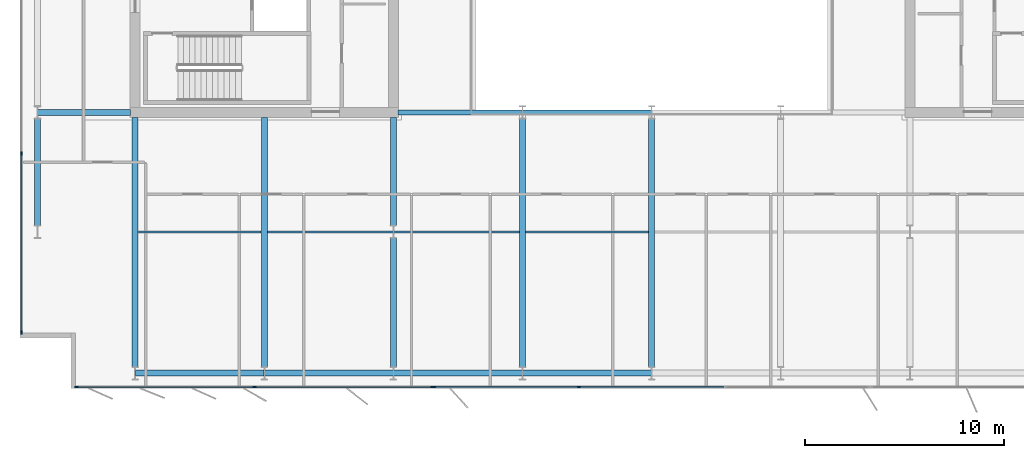
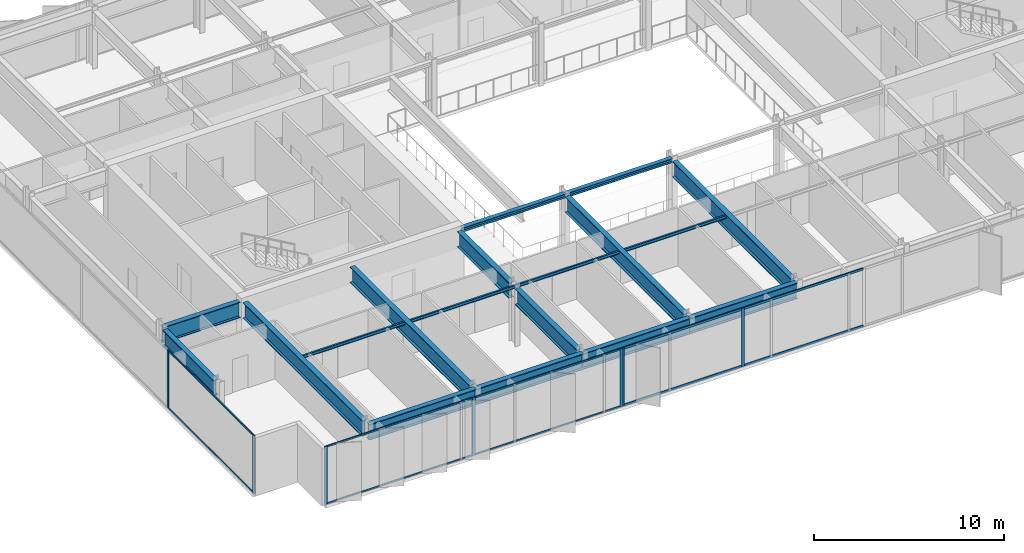
# One storey, part 4 of 20: 18 beams, 17 members, 3 elements without a shape of their own.
"""IFC4 building model written with IfcOpenShell, lengths in metres."""

from ifc_helpers import new_model, si_unit, direction, frame, origin, origin_2d, place, context, subcontext, project, spatial, rectangle, i_section, extrude, material, layer, layer_set, material_profile, profile_set, type_object, element, aggregate, save


model = new_model("IFC4")

# Units and contexts
model_context = context("Model", 3, precision=1e-05, world=origin(), true_north=direction((0.0, 1.0)))
body_context = subcontext(model_context, "Body", "Model", "MODEL_VIEW")
ifc_project = project(units=[si_unit("LENGTHUNIT", "METRE"), si_unit("AREAUNIT", "SQUARE_METRE"), si_unit("VOLUMEUNIT", "CUBIC_METRE"), si_unit("PLANEANGLEUNIT", "RADIAN"), si_unit("MASSUNIT", "GRAM", prefix="KILO")], contexts=[model_context])

# Site, building, storey
site_placement = place(None, origin())
site = spatial("IfcSite", under=ifc_project, at=site_placement, CompositionType="ELEMENT")
building_placement = place(site_placement, origin())
building = spatial("IfcBuilding", under=site, at=building_placement, Name="Putna Gate Headquarters", CompositionType="ELEMENT")
storey_placement = place(building_placement, frame((0.0, 0.0, 306.39990234375)))
storey = spatial("IfcBuildingStorey", under=building, at=storey_placement, Name="L77", CompositionType="ELEMENT", Elevation=306.39990234375)

# Beams
ifc_material_1 = material(Name="Steel S355J2", Category="steel")
ifc_material_profile_1 = material_profile(ifc_material_1, i_section(OverallWidth=0.260009765625, OverallDepth=0.260009765625, WebThickness=0.010009765625, FlangeThickness=0.017578125, at=origin_2d()), Name="Steel S355J2")
ifc_profile_set_1 = profile_set([ifc_material_profile_1], Name="Steel S355J2")
beam_type_1 = type_object("IfcBeamType", Name="BM-ATRIUM-HEB260", PredefinedType="BEAM", material=ifc_profile_set_1)
beam_1_placement = place(storey_placement, frame((26.235107421875, 19.0, 3.590087890625), z_axis=(1.0, 0.0, 0.0), x_axis=(0.0, 1.0, 0.0)))
element("IfcBeam", 1, at=beam_1_placement, inside=storey, type_object=beam_type_1, Name="L77 Atrium Edge Beam AS1", PredefinedType="BEAM", context=body_context, shape_type="SweptSolid", body=[
    extrude(i_section(OverallWidth=0.260009765625, OverallDepth=0.260009765625, WebThickness=0.010009765625, FlangeThickness=0.017578125, at=origin_2d()), origin(), (0.0, 0.0, 1.0), 6.2587890625),
])
beam_2_placement = place(storey_placement, frame((32.506103515625, 19.0, 3.590087890625), z_axis=(1.0, 0.0, 0.0), x_axis=(0.0, 1.0, 0.0)))
element("IfcBeam", 2, at=beam_2_placement, inside=storey, type_object=beam_type_1, Name="L77 Atrium Edge Beam AS2", PredefinedType="BEAM", context=body_context, shape_type="SweptSolid", body=[
    extrude(i_section(OverallWidth=0.260009765625, OverallDepth=0.260009765625, WebThickness=0.010009765625, FlangeThickness=0.017578125, at=origin_2d()), origin(), (0.0, 0.0, 1.0), 6.48779296875),
])
ifc_material_profile_2 = material_profile(ifc_material_1, i_section(OverallWidth=0.10009765625, OverallDepth=0.199951171875, WebThickness=0.005615234375, FlangeThickness=0.008544921875, at=origin_2d()), Name="Steel S355J2")
ifc_profile_set_2 = profile_set([ifc_material_profile_2], Name="Steel S355J2")
beam_type_2 = type_object("IfcBeamType", Name="BM-SEC-PLT-IPE200", PredefinedType="JOIST", material=ifc_profile_set_2)
beam_3_placement = place(storey_placement, frame((13.155029296875, 13.0, 3.6201171875), z_axis=(1.0, 0.0, 0.0), x_axis=(0.0, 1.0, 0.0)))
element("IfcBeam", 3, at=beam_3_placement, inside=storey, type_object=beam_type_2, Name="L77 South Secondary Beam 1", PredefinedType="JOIST", context=body_context, shape_type="SweptSolid", body=[
    extrude(i_section(OverallWidth=0.10009765625, OverallDepth=0.199951171875, WebThickness=0.005615234375, FlangeThickness=0.008544921875, at=origin_2d()), origin(), (0.0, 0.0, 1.0), 6.18994140625),
])
for number, where, z_axis, x_axis, name in (
    (4, (19.655029296875, 13.0, 3.6201171875), (1.0, 0.0, 0.0), (0.0, 1.0, 0.0), "L77 South Secondary Beam 2"),
    (5, (26.006103515625, 13.0, 3.6201171875), (1.0, 0.0, 0.0), (0.0, 1.0, 0.0), "L77 South Secondary Beam 3"),
):
    element("IfcBeam", number, at=place(storey_placement, frame(where, z_axis=z_axis, x_axis=x_axis)), inside=storey, type_object=beam_type_2, Name=name, PredefinedType="JOIST", context=body_context, shape_type="SweptSolid", body=[
        extrude(i_section(OverallWidth=0.10009765625, OverallDepth=0.199951171875, WebThickness=0.005615234375, FlangeThickness=0.008544921875, at=origin_2d()), origin(), (0.0, 0.0, 1.0), 6.3388671875),
    ])
beam_4_placement = place(storey_placement, frame((32.655029296875, 13.0, 3.6201171875), z_axis=(1.0, 0.0, 0.0), x_axis=(0.0, 1.0, 0.0)))
element("IfcBeam", 6, at=beam_4_placement, inside=storey, type_object=beam_type_2, Name="L77 South Secondary Beam 4", PredefinedType="JOIST", context=body_context, shape_type="SweptSolid", body=[
    extrude(i_section(OverallWidth=0.10009765625, OverallDepth=0.199951171875, WebThickness=0.005615234375, FlangeThickness=0.008544921875, at=origin_2d()), origin(), (0.0, 0.0, 1.0), 6.18994140625),
])
ifc_material_2 = material(Name="Steel S460M", Category="steel")
ifc_material_profile_3 = material_profile(ifc_material_2, i_section(OverallWidth=0.302001953125, OverallDepth=1.008056640625, WebThickness=0.02099609375, FlangeThickness=0.0400390625, at=origin_2d()), Name="Steel S460M")
ifc_profile_set_3 = profile_set([ifc_material_profile_3], Name="Steel S460M")
beam_type_3 = type_object("IfcBeamType", Name="BM-TG-HEM1000", PredefinedType="USERDEFINED", material=ifc_profile_set_3)
beam_5_placement = place(storey_placement, frame((8.0859375, 19.0, 3.216064453125), z_axis=(1.0, 0.0, 0.0), x_axis=(0.0, 1.0, 0.0)))
element("IfcBeam", 7, at=beam_5_placement, inside=storey, type_object=beam_type_3, Name="L77 West Wing Girder Y19", ObjectType="GIRDER", PredefinedType="USERDEFINED", context=body_context, shape_type="SweptSolid", body=[
    extrude(i_section(OverallWidth=0.302001953125, OverallDepth=1.008056640625, WebThickness=0.02099609375, FlangeThickness=0.0400390625, at=origin_2d()), origin(), (0.0, 0.0, 1.0), 4.678955078125),
])
for number, where, z_axis, x_axis, name in (
    (8, (13.0, 6.201904296875, 3.216064453125), (0.0, 1.0, 0.0), (-1.0, 0.0, 0.0), "L77 South Primary Girder X13"),
    (9, (19.5, 6.201904296875, 3.216064453125), (0.0, 1.0, 0.0), (-1.0, 0.0, 0.0), "L77 South Primary Girder X19"),
):
    element("IfcBeam", number, at=place(storey_placement, frame(where, z_axis=z_axis, x_axis=x_axis)), inside=storey, type_object=beam_type_3, Name=name, ObjectType="GIRDER", PredefinedType="USERDEFINED", context=body_context, shape_type="SweptSolid", body=[
        extrude(i_section(OverallWidth=0.302001953125, OverallDepth=1.008056640625, WebThickness=0.02099609375, FlangeThickness=0.0400390625, at=origin_2d()), origin(), (0.0, 0.0, 1.0), 12.56298828125),
    ])
beam_6_placement = place(storey_placement, frame((26.0, 6.201904296875, 3.216064453125), z_axis=(0.0, 1.0, 0.0), x_axis=(-1.0, 0.0, 0.0)))
element("IfcBeam", 10, at=beam_6_placement, inside=storey, type_object=beam_type_3, Name="L77 South Primary Girder X26-1", ObjectType="GIRDER", PredefinedType="USERDEFINED", context=body_context, shape_type="SweptSolid", body=[
    extrude(i_section(OverallWidth=0.302001953125, OverallDepth=1.008056640625, WebThickness=0.02099609375, FlangeThickness=0.0400390625, at=origin_2d()), origin(), (0.0, 0.0, 1.0), 6.47607421875),
])
beam_7_placement = place(storey_placement, frame((26.0, 13.322021484375, 3.216064453125), z_axis=(0.0, 1.0, 0.0), x_axis=(-1.0, 0.0, 0.0)))
element("IfcBeam", 11, at=beam_7_placement, inside=storey, type_object=beam_type_3, Name="L77 South Primary Girder X26-2", ObjectType="GIRDER", PredefinedType="USERDEFINED", context=body_context, shape_type="SweptSolid", body=[
    extrude(i_section(OverallWidth=0.302001953125, OverallDepth=1.008056640625, WebThickness=0.02099609375, FlangeThickness=0.0400390625, at=origin_2d()), origin(), (0.0, 0.0, 1.0), 5.44287109375),
])
for number, where, z_axis, x_axis, name in (
    (12, (32.5, 6.201904296875, 3.216064453125), (0.0, 1.0, 0.0), (-1.0, 0.0, 0.0), "L77 South Primary Girder X32"),
    (13, (39.0, 6.201904296875, 3.216064453125), (0.0, 1.0, 0.0), (-1.0, 0.0, 0.0), "L77 South Primary Girder X39"),
):
    element("IfcBeam", number, at=place(storey_placement, frame(where, z_axis=z_axis, x_axis=x_axis)), inside=storey, type_object=beam_type_3, Name=name, ObjectType="GIRDER", PredefinedType="USERDEFINED", context=body_context, shape_type="SweptSolid", body=[
        extrude(i_section(OverallWidth=0.302001953125, OverallDepth=1.008056640625, WebThickness=0.02099609375, FlangeThickness=0.0400390625, at=origin_2d()), origin(), (0.0, 0.0, 1.0), 12.47607421875),
    ])
ifc_material_profile_4 = material_profile(ifc_material_2, i_section(OverallWidth=0.302001953125, OverallDepth=1.008056640625, WebThickness=0.02099609375, FlangeThickness=0.0400390625, at=origin_2d()), Name="Steel S460M")
ifc_profile_set_4 = profile_set([ifc_material_profile_4], Name="Steel S460M")
beam_type_4 = type_object("IfcBeamType", Name="BM-TG-HEM1000-EXT", PredefinedType="USERDEFINED", material=ifc_profile_set_4)
for number, where, z_axis, x_axis, name in (
    (14, (13.006103515625, 5.8798828125, 3.216064453125), (1.0, 0.0, 0.0), (0.0, 1.0, 0.0), "L77 S Perimeter Spandrel 1"),
    (15, (19.506103515625, 5.8798828125, 3.216064453125), (1.0, 0.0, 0.0), (0.0, 1.0, 0.0), "L77 S Perimeter Spandrel 2"),
    (16, (26.006103515625, 5.8798828125, 3.216064453125), (1.0, 0.0, 0.0), (0.0, 1.0, 0.0), "L77 S Perimeter Spandrel 3"),
    (17, (32.506103515625, 5.8798828125, 3.216064453125), (1.0, 0.0, 0.0), (0.0, 1.0, 0.0), "L77 S Perimeter Spandrel 4"),
):
    element("IfcBeam", number, at=place(storey_placement, frame(where, z_axis=z_axis, x_axis=x_axis)), inside=storey, type_object=beam_type_4, Name=name, ObjectType="GIRDER", PredefinedType="USERDEFINED", context=body_context, shape_type="SweptSolid", body=[
        extrude(i_section(OverallWidth=0.302001953125, OverallDepth=1.008056640625, WebThickness=0.02099609375, FlangeThickness=0.0400390625, at=origin_2d()), origin(), (0.0, 0.0, 1.0), 6.48779296875),
    ])
beam_8_placement = place(storey_placement, frame((8.080078125, 13.322021484375, 3.216064453125), z_axis=(0.0, 1.0, 0.0), x_axis=(-1.0, 0.0, 0.0)))
element("IfcBeam", 18, at=beam_8_placement, inside=storey, type_object=beam_type_4, Name="L77 W End Spandrel 1", ObjectType="GIRDER", PredefinedType="USERDEFINED", context=body_context, shape_type="SweptSolid", body=[
    extrude(i_section(OverallWidth=0.302001953125, OverallDepth=1.008056640625, WebThickness=0.02099609375, FlangeThickness=0.0400390625, at=origin_2d()), origin(), (0.0, 0.0, 1.0), 5.35595703125),
])

# Curtain wall, members
ifc_material_3 = material(Name="Anodised bronze aluminium curtain wall", Category="aluminium")
ifc_layer_1 = layer(ifc_material_3, 0.179931640625)
ifc_layer_set_1 = layer_set([ifc_layer_1], Name="Anodised bronze aluminium curtain wall")
curtain_wall_type_1 = type_object("IfcCurtainWallType", Name="CW-SYS-Z5", PredefinedType="USERDEFINED", material=ifc_layer_set_1)
curtain_wall_1_placement = place(storey_placement, origin())
curtain_wall_1 = element("IfcCurtainWall", 19, at=curtain_wall_1_placement, inside=storey, type_object=curtain_wall_type_1, Name="L77 South West Curtain Wall", ObjectType="STICK CURTAIN WALL", PredefinedType="USERDEFINED")
ifc_material_4 = material(Name="Anodised bronze aluminium EN AW-6060", Category="aluminium")
ifc_material_profile_5 = material_profile(ifc_material_4, rectangle(XDim=0.070068359375, YDim=0.179931640625, at=origin_2d()), Name="Anodised bronze aluminium EN AW-6060")
ifc_profile_set_5 = profile_set([ifc_material_profile_5], Name="Anodised bronze aluminium EN AW-6060")
member_type_1 = type_object("IfcMemberType", Name="MULL-CWM-5", PredefinedType="MULLION", material=ifc_profile_set_5)
member_1_placement = place(storey_placement, frame((10.034912109375, 5.179931640625, 0.0), z_axis=(0.0, 0.0, 1.0), x_axis=(0.0, 1.0, 0.0)))
member_1 = element("IfcMember", 20, at=member_1_placement, type_object=member_type_1, Name="CWS-5 mullion 1", PredefinedType="MULLION", context=body_context, shape_type="SweptSolid", body=[
    extrude(rectangle(XDim=0.070068359375, YDim=0.179931640625, at=origin_2d()), origin(), (0.0, 0.0, 1.0), 3.72021484375),
])
member_2_placement = place(storey_placement, frame((19.0, 5.179931640625, 0.0), z_axis=(0.0, 0.0, 1.0), x_axis=(0.0, 1.0, 0.0)))
member_2 = element("IfcMember", 21, at=member_2_placement, type_object=member_type_1, Name="CWS-5 mullion 2", PredefinedType="MULLION", context=body_context, shape_type="SweptSolid", body=[
    extrude(rectangle(XDim=0.070068359375, YDim=0.179931640625, at=origin_2d()), origin(), (0.0, 0.0, 1.0), 3.72021484375),
])
member_3_placement = place(storey_placement, frame((27.965087890625, 5.179931640625, 0.0), z_axis=(0.0, 0.0, 1.0), x_axis=(0.0, 1.0, 0.0)))
member_3 = element("IfcMember", 22, at=member_3_placement, type_object=member_type_1, Name="CWS-5 mullion 3", PredefinedType="MULLION", context=body_context, shape_type="SweptSolid", body=[
    extrude(rectangle(XDim=0.070068359375, YDim=0.179931640625, at=origin_2d()), origin(), (0.0, 0.0, 1.0), 3.72021484375),
])

curtain_wall_2_placement = place(storey_placement, origin())
curtain_wall_2 = element("IfcCurtainWall", 23, at=curtain_wall_2_placement, inside=storey, type_object=curtain_wall_type_1, Name="L77 West Curtain Wall", ObjectType="STICK CURTAIN WALL", PredefinedType="USERDEFINED")
member_4_placement = place(storey_placement, frame((7.280029296875, 7.93505859375, 0.0), z_axis=(0.0, 0.0, 1.0), x_axis=(-1.0, 0.0, 0.0)))
member_4 = element("IfcMember", 24, at=member_4_placement, type_object=member_type_1, Name="CWS-5 mullion 1", PredefinedType="MULLION", context=body_context, shape_type="SweptSolid", body=[
    extrude(rectangle(XDim=0.070068359375, YDim=0.179931640625, at=origin_2d()), origin(), (0.0, 0.0, 1.0), 3.72021484375),
])
member_5_placement = place(storey_placement, frame((7.280029296875, 16.949951171875, 0.0), z_axis=(0.0, 0.0, 1.0), x_axis=(-1.0, 0.0, 0.0)))
member_5 = element("IfcMember", 25, at=member_5_placement, type_object=member_type_1, Name="CWS-5 mullion 2", PredefinedType="MULLION", context=body_context, shape_type="SweptSolid", body=[
    extrude(rectangle(XDim=0.070068359375, YDim=0.179931640625, at=origin_2d()), origin(), (0.0, 0.0, 1.0), 3.72021484375),
])

ifc_layer_2 = layer(ifc_material_3, 0.179931640625)
ifc_layer_set_2 = layer_set([ifc_layer_2], Name="Anodised bronze aluminium curtain wall")
curtain_wall_type_2 = type_object("IfcCurtainWallType", Name="CW-SYS-ATR", PredefinedType="USERDEFINED", material=ifc_layer_set_2)
curtain_wall_3_placement = place(storey_placement, origin())
curtain_wall_3 = element("IfcCurtainWall", 26, at=curtain_wall_3_placement, inside=storey, type_object=curtain_wall_type_2, Name="L77 South Atrium Clear Glazing", ObjectType="ATRIUM GLAZING", PredefinedType="USERDEFINED")
ifc_material_profile_6 = material_profile(ifc_material_4, rectangle(XDim=0.070068359375, YDim=0.179931640625, at=origin_2d()), Name="Anodised bronze aluminium EN AW-6060")
ifc_profile_set_6 = profile_set([ifc_material_profile_6], Name="Anodised bronze aluminium EN AW-6060")
member_type_2 = type_object("IfcMemberType", Name="MULL-CWM-AT", PredefinedType="MULLION", material=ifc_profile_set_6)
member_6_placement = place(storey_placement, frame((28.034912109375, 5.179931640625, 0.0), z_axis=(0.0, 0.0, 1.0), x_axis=(0.0, 1.0, 0.0)))
member_6 = element("IfcMember", 27, at=member_6_placement, type_object=member_type_2, Name="CWS-AT mullion 1", PredefinedType="MULLION", context=body_context, shape_type="SweptSolid", body=[
    extrude(rectangle(XDim=0.070068359375, YDim=0.179931640625, at=origin_2d()), origin(), (0.0, 0.0, 1.0), 3.72021484375),
])
member_7_placement = place(storey_placement, frame((35.333251953125, 5.179931640625, 0.0), z_axis=(0.0, 0.0, 1.0), x_axis=(0.0, 1.0, 0.0)))
member_7 = element("IfcMember", 28, at=member_7_placement, type_object=member_type_2, Name="CWS-AT mullion 2", PredefinedType="MULLION", context=body_context, shape_type="SweptSolid", body=[
    extrude(rectangle(XDim=0.070068359375, YDim=0.179931640625, at=origin_2d()), origin(), (0.0, 0.0, 1.0), 3.72021484375),
])

# Member
ifc_material_profile_7 = material_profile(ifc_material_4, rectangle(XDim=0.06005859375, YDim=0.10009765625, at=origin_2d()), Name="Anodised bronze aluminium EN AW-6060")
ifc_profile_set_7 = profile_set([ifc_material_profile_7], Name="Anodised bronze aluminium EN AW-6060")
member_type_3 = type_object("IfcMemberType", Name="TRAN-CWT-5", PredefinedType="USERDEFINED", material=ifc_profile_set_7)
member_8_placement = place(storey_placement, frame((10.070068359375, 5.179931640625, 0.030029296875), z_axis=(1.0, 0.0, 0.0), x_axis=(0.0, 1.0, 0.0)))
member_8 = element("IfcMember", 29, at=member_8_placement, type_object=member_type_3, Name="CWS-5 transom 1.1", ObjectType="TRANSOM", PredefinedType="USERDEFINED", context=body_context, shape_type="SweptSolid", body=[
    extrude(rectangle(XDim=0.06005859375, YDim=0.10009765625, at=origin_2d()), origin(), (0.0, 0.0, 1.0), 8.89501953125),
])

member_9_placement = place(storey_placement, frame((10.070068359375, 5.179931640625, 3.690185546875), z_axis=(1.0, 0.0, 0.0), x_axis=(0.0, 1.0, 0.0)))
member_9 = element("IfcMember", 30, at=member_9_placement, type_object=member_type_3, Name="CWS-5 transom 1.2", ObjectType="TRANSOM", PredefinedType="USERDEFINED", context=body_context, shape_type="SweptSolid", body=[
    extrude(rectangle(XDim=0.06005859375, YDim=0.10009765625, at=origin_2d()), origin(), (0.0, 0.0, 1.0), 8.89501953125),
])

member_10_placement = place(storey_placement, frame((19.034912109375, 5.179931640625, 0.030029296875), z_axis=(1.0, 0.0, 0.0), x_axis=(0.0, 1.0, 0.0)))
member_10 = element("IfcMember", 31, at=member_10_placement, type_object=member_type_3, Name="CWS-5 transom 2.1", ObjectType="TRANSOM", PredefinedType="USERDEFINED", context=body_context, shape_type="SweptSolid", body=[
    extrude(rectangle(XDim=0.06005859375, YDim=0.10009765625, at=origin_2d()), origin(), (0.0, 0.0, 1.0), 8.89501953125),
])

member_11_placement = place(storey_placement, frame((19.034912109375, 5.179931640625, 3.690185546875), z_axis=(1.0, 0.0, 0.0), x_axis=(0.0, 1.0, 0.0)))
member_11 = element("IfcMember", 32, at=member_11_placement, type_object=member_type_3, Name="CWS-5 transom 2.2", ObjectType="TRANSOM", PredefinedType="USERDEFINED", context=body_context, shape_type="SweptSolid", body=[
    extrude(rectangle(XDim=0.06005859375, YDim=0.10009765625, at=origin_2d()), origin(), (0.0, 0.0, 1.0), 8.89501953125),
])

aggregate(curtain_wall_1, [member_1, member_2, member_3, member_8, member_9, member_10, member_11])

member_12_placement = place(storey_placement, frame((7.280029296875, 7.969970703125, 0.030029296875), z_axis=(0.0, 1.0, 0.0), x_axis=(-1.0, 0.0, 0.0)))
member_12 = element("IfcMember", 33, at=member_12_placement, type_object=member_type_3, Name="CWS-5 transom 1.1", ObjectType="TRANSOM", PredefinedType="USERDEFINED", context=body_context, shape_type="SweptSolid", body=[
    extrude(rectangle(XDim=0.06005859375, YDim=0.10009765625, at=origin_2d()), origin(), (0.0, 0.0, 1.0), 8.945068359375),
])

member_13_placement = place(storey_placement, frame((7.280029296875, 7.969970703125, 3.690185546875), z_axis=(0.0, 1.0, 0.0), x_axis=(-1.0, 0.0, 0.0)))
member_13 = element("IfcMember", 34, at=member_13_placement, type_object=member_type_3, Name="CWS-5 transom 1.2", ObjectType="TRANSOM", PredefinedType="USERDEFINED", context=body_context, shape_type="SweptSolid", body=[
    extrude(rectangle(XDim=0.06005859375, YDim=0.10009765625, at=origin_2d()), origin(), (0.0, 0.0, 1.0), 8.945068359375),
])

aggregate(curtain_wall_2, [member_4, member_5, member_12, member_13])

ifc_material_profile_8 = material_profile(ifc_material_4, rectangle(XDim=0.070068359375, YDim=0.139892578125, at=origin_2d()), Name="Anodised bronze aluminium EN AW-6060")
ifc_profile_set_8 = profile_set([ifc_material_profile_8], Name="Anodised bronze aluminium EN AW-6060")
member_type_4 = type_object("IfcMemberType", Name="TRAN-CWT-AT", PredefinedType="USERDEFINED", material=ifc_profile_set_8)
member_14_placement = place(storey_placement, frame((28.070068359375, 5.179931640625, 0.03515625), z_axis=(1.0, 0.0, 0.0), x_axis=(0.0, 1.0, 0.0)))
member_14 = element("IfcMember", 35, at=member_14_placement, type_object=member_type_4, Name="CWS-AT transom 1.1", ObjectType="TRANSOM", PredefinedType="USERDEFINED", context=body_context, shape_type="SweptSolid", body=[
    extrude(rectangle(XDim=0.070068359375, YDim=0.139892578125, at=origin_2d()), origin(), (0.0, 0.0, 1.0), 7.228271484375),
])

member_15_placement = place(storey_placement, frame((28.070068359375, 5.179931640625, 3.68505859375), z_axis=(1.0, 0.0, 0.0), x_axis=(0.0, 1.0, 0.0)))
member_15 = element("IfcMember", 36, at=member_15_placement, type_object=member_type_4, Name="CWS-AT transom 1.2", ObjectType="TRANSOM", PredefinedType="USERDEFINED", context=body_context, shape_type="SweptSolid", body=[
    extrude(rectangle(XDim=0.070068359375, YDim=0.139892578125, at=origin_2d()), origin(), (0.0, 0.0, 1.0), 7.228271484375),
])

member_16_placement = place(storey_placement, frame((35.368408203125, 5.179931640625, 0.03515625), z_axis=(1.0, 0.0, 0.0), x_axis=(0.0, 1.0, 0.0)))
member_16 = element("IfcMember", 37, at=member_16_placement, type_object=member_type_4, Name="CWS-AT transom 2.1", ObjectType="TRANSOM", PredefinedType="USERDEFINED", context=body_context, shape_type="SweptSolid", body=[
    extrude(rectangle(XDim=0.070068359375, YDim=0.139892578125, at=origin_2d()), origin(), (0.0, 0.0, 1.0), 7.26318359375),
])

member_17_placement = place(storey_placement, frame((35.368408203125, 5.179931640625, 3.68505859375), z_axis=(1.0, 0.0, 0.0), x_axis=(0.0, 1.0, 0.0)))
member_17 = element("IfcMember", 38, at=member_17_placement, type_object=member_type_4, Name="CWS-AT transom 2.2", ObjectType="TRANSOM", PredefinedType="USERDEFINED", context=body_context, shape_type="SweptSolid", body=[
    extrude(rectangle(XDim=0.070068359375, YDim=0.139892578125, at=origin_2d()), origin(), (0.0, 0.0, 1.0), 7.26318359375),
])

aggregate(curtain_wall_3, [member_6, member_7, member_14, member_15, member_16, member_17])

save(model, "model.ifc")
